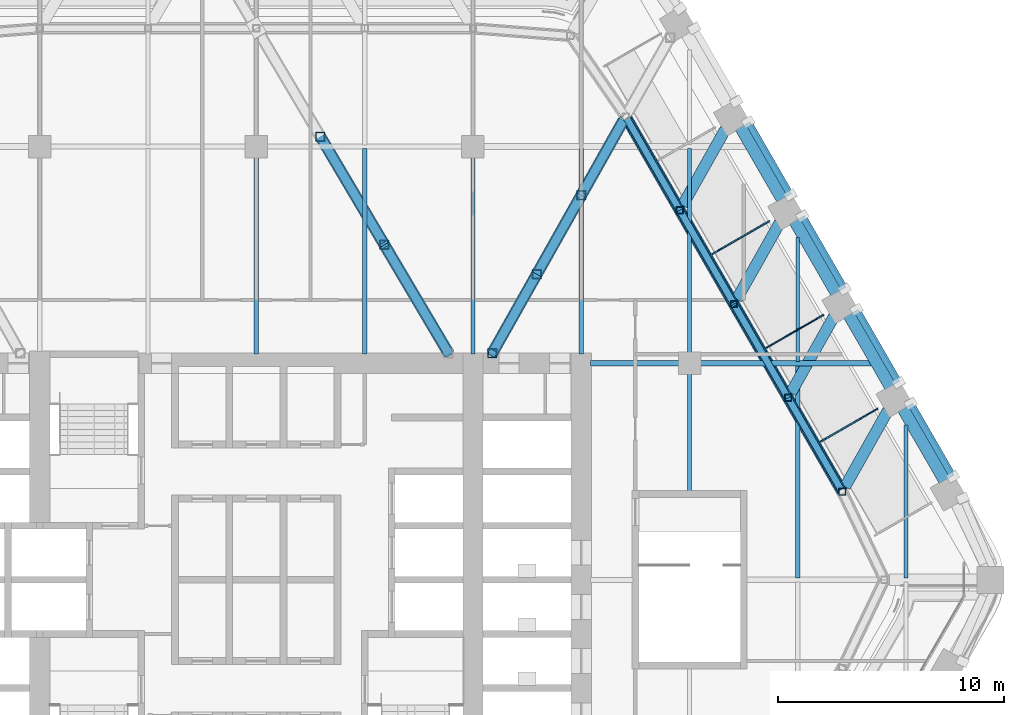
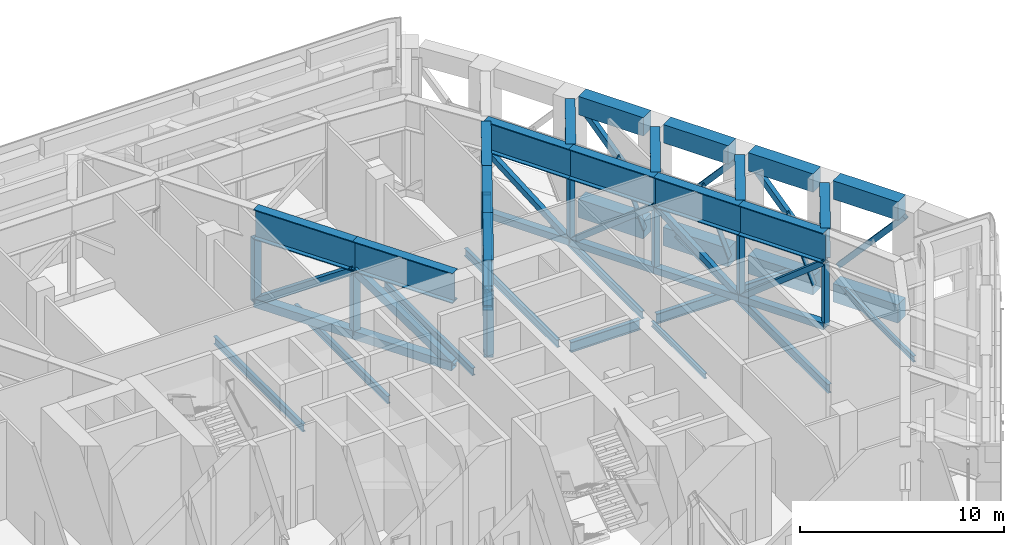
# One storey, part 10 of 27: 34 members, 32 beams, 1 element without a shape of its own.
"""IFC4 building model written with IfcOpenShell, lengths in metres."""

from ifc_helpers import new_model, si_unit, direction, frame, origin, origin_2d, place, context, subcontext, project, spatial, rectangle, hollow_rectangle, i_section, extrude, material, material_profile, profile_set, type_object, element, aggregate, save


model = new_model("IFC4")

# Units and contexts
model_context = context("Model", 3, precision=1e-05, world=origin(), true_north=direction((0.0, 1.0)))
body_context = subcontext(model_context, "Body", "Model", "MODEL_VIEW")
ifc_project = project(units=[si_unit("LENGTHUNIT", "METRE"), si_unit("AREAUNIT", "SQUARE_METRE"), si_unit("VOLUMEUNIT", "CUBIC_METRE"), si_unit("PLANEANGLEUNIT", "RADIAN"), si_unit("MASSUNIT", "GRAM", prefix="KILO")], contexts=[model_context])

# Site, building, storey
site_placement = place(None, origin())
site = spatial("IfcSite", under=ifc_project, at=site_placement, CompositionType="ELEMENT")
building_placement = place(site_placement, origin())
building = spatial("IfcBuilding", under=site, at=building_placement, Name="Kolab Exchange Tower", CompositionType="ELEMENT")
storey_placement = place(building_placement, frame((0.0, 0.0, 127.39990234375)))
storey = spatial("IfcBuildingStorey", under=building, at=storey_placement, Name="L25", CompositionType="ELEMENT", Elevation=127.39990234375)

# Members
ifc_material_1 = material(Name="Steel S355", Category="steel")
ifc_material_profile_1 = material_profile(ifc_material_1, hollow_rectangle(XDim=0.300048828125, YDim=0.300048828125, WallThickness=0.01611328125, at=origin_2d()), Name="HSS300X300X16")
ifc_profile_set_1 = profile_set([ifc_material_profile_1], Name="Steel S355")
member_type_1 = type_object("IfcMemberType", Name="BELT TRUSS BRACE HSS300X300X16", PredefinedType="BRACE", material=ifc_profile_set_1)
member_1_placement = place(storey_placement, frame((16.366943359375, 20.53466796875, 4.050048828125), z_axis=(0.392038591319, -0.678999195849, -0.620697861244), x_axis=(0.866015339567, 0.500017431331, 0.0)))
element("IfcMember", 1, at=member_1_placement, inside=storey, type_object=member_type_1, Name="mem/L25/ring/d-F2-02", PredefinedType="BRACE", context=body_context, shape_type="SweptSolid", body=[
    extrude(hollow_rectangle(XDim=0.300048828125, YDim=0.300048828125, WallThickness=0.01611328125, at=origin_2d()), origin(), (0.0, 0.0, 1.0), 6.122314453125),
])
for number, where, z_axis, x_axis, name in (
    (2, (18.76708984375, 16.377685546875, 0.25), (0.392004841722, -0.679009810783, 0.620707564741), (0.866037363387, 0.499979284789, 0.0), "mem/L25/ring/d-F2-03"),
    (3, (21.1669921875, 12.220703125, 4.050048828125), (0.392004841722, -0.679009810783, -0.620707564741), (0.866037363387, 0.499979284789, 0.0), "mem/L25/ring/d-F2-04"),
    (4, (23.56689453125, 8.063720703125, 0.25), (0.392049206664, -0.678977702437, 0.620714668062), (0.866002622515, 0.50003945624, 0.0), "mem/L25/ring/d-F2-05"),
):
    element("IfcMember", number, at=place(storey_placement, frame(where, z_axis=z_axis, x_axis=x_axis)), inside=storey, type_object=member_type_1, Name=name, PredefinedType="BRACE", context=body_context, shape_type="SweptSolid", body=[
        extrude(hollow_rectangle(XDim=0.300048828125, YDim=0.300048828125, WallThickness=0.01611328125, at=origin_2d()), origin(), (0.0, 0.0, 1.0), 6.1220703125),
    ])
member_2_placement = place(storey_placement, frame((21.806640625, 20.282958984375, 4.60009765625), z_axis=(0.33175876964, -0.574575918421, -0.748196921096), x_axis=(0.866007645851, 0.500030756381, 0.0)))
element("IfcMember", 5, at=member_2_placement, inside=storey, type_object=member_type_1, Name="mem/L25/fb/F2-03", PredefinedType="BRACE", context=body_context, shape_type="SweptSolid", body=[
    extrude(hollow_rectangle(XDim=0.300048828125, YDim=0.300048828125, WallThickness=0.01611328125, at=origin_2d()), origin(), (0.0, 0.0, 1.0), 5.613525390625),
])
member_3_placement = place(storey_placement, frame((24.206787109375, 16.1259765625, 0.400146484375), z_axis=(0.331720063492, -0.574584208573, 0.748207716303), x_axis=(0.866036031404, 0.49998159197, 0.0)))
element("IfcMember", 6, at=member_3_placement, inside=storey, type_object=member_type_1, Name="mem/L25/fb/F2-04", PredefinedType="BRACE", context=body_context, shape_type="SweptSolid", body=[
    extrude(hollow_rectangle(XDim=0.300048828125, YDim=0.300048828125, WallThickness=0.01611328125, at=origin_2d()), origin(), (0.0, 0.0, 1.0), 5.61328125),
])
for number, where, z_axis, x_axis, name in (
    (7, (26.606689453125, 11.968994140625, 4.60009765625), (0.33175876964, -0.574575918421, -0.748196921096), (0.866007645851, 0.500030756381, 0.0), "mem/L25/fb/F2-05"),
    (8, (29.006591796875, 7.812255859375, 0.400146484375), (0.33175876964, -0.574575918421, 0.748196921096), (0.866007645851, 0.500030756381, 0.0), "mem/L25/fb/F2-06"),
):
    element("IfcMember", number, at=place(storey_placement, frame(where, z_axis=z_axis, x_axis=x_axis)), inside=storey, type_object=member_type_1, Name=name, PredefinedType="BRACE", context=body_context, shape_type="SweptSolid", body=[
        extrude(hollow_rectangle(XDim=0.300048828125, YDim=0.300048828125, WallThickness=0.01611328125, at=origin_2d()), origin(), (0.0, 0.0, 1.0), 5.613525390625),
    ])
ifc_material_profile_2 = material_profile(ifc_material_1, hollow_rectangle(XDim=0.39990234375, YDim=0.39990234375, WallThickness=0.02001953125, at=origin_2d()), Name="HSS400X400X20")
ifc_profile_set_2 = profile_set([ifc_material_profile_2], Name="Steel S355")
member_type_2 = type_object("IfcMemberType", Name="BELT TRUSS CHORD HSS400X400X20", PredefinedType="CHORD", material=ifc_profile_set_2)
for number, where, z_axis, x_axis, name in (
    (9, (16.366943359375, 20.53466796875, 0.25), (0.500017431331, -0.866015339567, 0.0), (0.866015339567, 0.500017431331, 0.0), "mem/L25/ring/c-F2-02"),
    (10, (18.76708984375, 16.377685546875, 0.25), (0.499979284789, -0.866037363387, 0.0), (0.866037363387, 0.499979284789, 0.0), "mem/L25/ring/c-F2-03"),
    (11, (21.1669921875, 12.220703125, 0.25), (0.499979284789, -0.866037363387, 0.0), (0.866037363387, 0.499979284789, 0.0), "mem/L25/ring/c-F2-04"),
):
    element("IfcMember", number, at=place(storey_placement, frame(where, z_axis=z_axis, x_axis=x_axis)), inside=storey, type_object=member_type_2, Name=name, PredefinedType="CHORD", context=body_context, shape_type="SweptSolid", body=[
        extrude(hollow_rectangle(XDim=0.39990234375, YDim=0.39990234375, WallThickness=0.02001953125, at=origin_2d()), origin(), (0.0, 0.0, 1.0), 4.800048828125),
    ])
member_4_placement = place(storey_placement, frame((23.56689453125, 8.063720703125, 0.25), z_axis=(0.50003945624, -0.866002622515, 0.0), x_axis=(0.866002622515, 0.50003945624, 0.0)))
element("IfcMember", 12, at=member_4_placement, inside=storey, type_object=member_type_2, Name="mem/L25/ring/c-F2-05", PredefinedType="CHORD", context=body_context, shape_type="SweptSolid", body=[
    extrude(hollow_rectangle(XDim=0.39990234375, YDim=0.39990234375, WallThickness=0.02001953125, at=origin_2d()), origin(), (0.0, 0.0, 1.0), 4.7998046875),
])

# Beams
ifc_material_profile_3 = material_profile(ifc_material_1, i_section(OverallWidth=0.5, OverallDepth=1.800048828125, WebThickness=0.031982421875, FlangeThickness=0.050048828125, at=origin_2d()), Name="PG1800X500")
ifc_profile_set_3 = profile_set([ifc_material_profile_3], Name="Steel S355")
beam_type_1 = type_object("IfcBeamType", Name="BELT TRUSS GIRDER PG1800X500", PredefinedType="BEAM", material=ifc_profile_set_3)
for number, where, z_axis, x_axis, name in (
    (13, (16.366943359375, 20.53466796875, 4.9501953125), (0.500017431331, -0.866015339567, 0.0), (0.866015339567, 0.500017431331, 0.0), "beam/L25/bg/F2-run0"),
    (14, (18.76708984375, 16.377685546875, 4.9501953125), (0.499979284789, -0.866037363387, 0.0), (0.866037363387, 0.499979284789, 0.0), "beam/L25/bg/F2-run1"),
    (15, (21.1669921875, 12.220703125, 4.9501953125), (0.499979284789, -0.866037363387, 0.0), (0.866037363387, 0.499979284789, 0.0), "beam/L25/bg/F2-run2"),
):
    element("IfcBeam", number, at=place(storey_placement, frame(where, z_axis=z_axis, x_axis=x_axis)), inside=storey, type_object=beam_type_1, Name=name, PredefinedType="BEAM", context=body_context, shape_type="SweptSolid", body=[
        extrude(i_section(OverallWidth=0.5, OverallDepth=1.800048828125, WebThickness=0.031982421875, FlangeThickness=0.050048828125, at=origin_2d()), origin(), (0.0, 0.0, 1.0), 4.800048828125),
    ])
beam_1_placement = place(storey_placement, frame((23.56689453125, 8.063720703125, 4.9501953125), z_axis=(0.50003945624, -0.866002622515, 0.0), x_axis=(0.866002622515, 0.50003945624, 0.0)))
element("IfcBeam", 16, at=beam_1_placement, inside=storey, type_object=beam_type_1, Name="beam/L25/bg/F2-run3", PredefinedType="BEAM", context=body_context, shape_type="SweptSolid", body=[
    extrude(i_section(OverallWidth=0.5, OverallDepth=1.800048828125, WebThickness=0.031982421875, FlangeThickness=0.050048828125, at=origin_2d()), origin(), (0.0, 0.0, 1.0), 4.7998046875),
])

# Members
ifc_material_profile_4 = material_profile(ifc_material_1, hollow_rectangle(XDim=0.300048828125, YDim=0.300048828125, WallThickness=0.01611328125, at=origin_2d()), Name="HSS300X300X16")
ifc_profile_set_4 = profile_set([ifc_material_profile_4], Name="Steel S355")
member_type_3 = type_object("IfcMemberType", Name="BELT TRUSS POST HSS300X300X16", PredefinedType="POST", material=ifc_profile_set_4)
for number, where, z_axis, x_axis, name in (
    (17, (18.76708984375, 16.377685546875, 0.25), (0.0, 0.0, 1.0), (1.0, 0.0, 0.0), "mem/L25/ring/p-F2-03"),
    (18, (21.1669921875, 12.220703125, 0.25), (0.0, 0.0, 1.0), (1.0, 0.0, 0.0), "mem/L25/ring/p-F2-04"),
    (19, (23.56689453125, 8.063720703125, 0.25), (0.0, 0.0, 1.0), (1.0, 0.0, 0.0), "mem/L25/ring/p-F2-05"),
    (20, (25.967041015625, 3.906982421875, 0.25), (0.0, 0.0, 1.0), (1.0, 0.0, 0.0), "mem/L25/ring/p-F2-06"),
):
    element("IfcMember", number, at=place(storey_placement, frame(where, z_axis=z_axis, x_axis=x_axis)), inside=storey, type_object=member_type_3, Name=name, PredefinedType="POST", context=body_context, shape_type="SweptSolid", body=[
        extrude(hollow_rectangle(XDim=0.300048828125, YDim=0.300048828125, WallThickness=0.01611328125, at=origin_2d()), origin(), (0.0, 0.0, 1.0), 3.800048828125),
    ])

# Curtain wall, members
ifc_material_2 = material(Name="Aluminium EN AW-6063 T6", Category="aluminium")
curtain_wall_type = type_object("IfcCurtainWallType", Name="CANTED BAND CURTAIN WALL", PredefinedType="NOTDEFINED", material=ifc_material_2)
curtain_wall_placement = place(storey_placement, origin())
curtain_wall = element("IfcCurtainWall", 21, at=curtain_wall_placement, inside=storey, type_object=curtain_wall_type, Name="band/L25/F2", PredefinedType="NOTDEFINED")
ifc_material_profile_5 = material_profile(ifc_material_2, rectangle(XDim=0.06005859375, YDim=0.300048828125, at=origin_2d()), Name="RECT 60X300")
ifc_profile_set_5 = profile_set([ifc_material_profile_5], Name="Aluminium EN AW-6063 T6")
member_type_4 = type_object("IfcMemberType", Name="CANTED BAND MULLION 60 X 300", PredefinedType="MULLION", material=ifc_profile_set_5)
member_5_placement = place(storey_placement, frame((22.631591796875, 15.837646484375, -0.099853515625), z_axis=(-0.355801131063, -0.205424096945, 0.911705267907), x_axis=(0.500004049237, -0.866023065944, 0.0)))
member_5 = element("IfcMember", 22, at=member_5_placement, type_object=member_type_4, Name="Band mullion", PredefinedType="MULLION", context=body_context, shape_type="SweptSolid", body=[
    extrude(rectangle(XDim=0.06005859375, YDim=0.300048828125, at=origin_2d()), origin(), (0.0, 0.0, 1.0), 6.51513671875),
])
member_6_placement = place(storey_placement, frame((25.03173828125, 11.6806640625, -0.099853515625), z_axis=(-0.355833859075, -0.205421357987, 0.911693111973), x_axis=(0.499964557259, -0.866045865693, 0.0)))
member_6 = element("IfcMember", 23, at=member_6_placement, type_object=member_type_4, Name="Band mullion", PredefinedType="MULLION", context=body_context, shape_type="SweptSolid", body=[
    extrude(rectangle(XDim=0.06005859375, YDim=0.300048828125, at=origin_2d()), origin(), (0.0, 0.0, 1.0), 6.515380859375),
])
member_7_placement = place(storey_placement, frame((27.431640625, 7.52392578125, -0.099853515625), z_axis=(-0.35583111981, -0.205457248307, 0.911686093616), x_axis=(0.500032956655, -0.866006375415, 0.0)))
member_7 = element("IfcMember", 24, at=member_7_placement, type_object=member_type_4, Name="Band mullion", PredefinedType="MULLION", context=body_context, shape_type="SweptSolid", body=[
    extrude(rectangle(XDim=0.06005859375, YDim=0.300048828125, at=origin_2d()), origin(), (0.0, 0.0, 1.0), 6.515380859375),
])
aggregate(curtain_wall, [member_5, member_6, member_7])

# Beams
ifc_material_profile_6 = material_profile(ifc_material_1, i_section(OverallWidth=0.1650390625, OverallDepth=0.31005859375, WebThickness=0.005859375, FlangeThickness=0.009765625, at=origin_2d()), Name="W310X39")
ifc_profile_set_6 = profile_set([ifc_material_profile_6], Name="Steel S355")
beam_type_2 = type_object("IfcBeamType", Name="FLOOR BEAM W310X39", PredefinedType="BEAM", material=ifc_profile_set_6)
beam_2_placement = place(storey_placement, frame((19.199951171875, 3.909912109375, -0.454833984375), z_axis=(0.0, 1.0, 0.0), x_axis=(-1.0, 0.0, 0.0)))
element("IfcBeam", 25, at=beam_2_placement, inside=storey, type_object=beam_type_2, Name="beam/L25/fr/043", PredefinedType="BEAM", context=body_context, shape_type="SweptSolid", body=[
    extrude(i_section(OverallWidth=0.1650390625, OverallDepth=0.31005859375, WebThickness=0.005859375, FlangeThickness=0.009765625, at=origin_2d()), origin(), (0.0, 0.0, 1.0), 5.22998046875),
])
beam_3_placement = place(storey_placement, frame((24.0, 9.674072265625, -0.454833984375), z_axis=(0.0, 1.0, 0.0), x_axis=(-1.0, 0.0, 0.0)))
element("IfcBeam", 26, at=beam_3_placement, inside=storey, type_object=beam_type_2, Name="beam/L25/fr/049", PredefinedType="BEAM", context=body_context, shape_type="SweptSolid", body=[
    extrude(i_section(OverallWidth=0.1650390625, OverallDepth=0.31005859375, WebThickness=0.005859375, FlangeThickness=0.009765625, at=origin_2d()), origin(), (0.0, 0.0, 1.0), 5.49365234375),
])
ifc_material_profile_7 = material_profile(ifc_material_1, i_section(OverallWidth=0.1708984375, OverallDepth=0.35498046875, WebThickness=0.007080078125, FlangeThickness=0.01171875, at=origin_2d()), Name="W360X51")
ifc_profile_set_7 = profile_set([ifc_material_profile_7], Name="Steel S355")
beam_type_3 = type_object("IfcBeamType", Name="FLOOR BEAM W360X51", PredefinedType="BEAM", material=ifc_profile_set_7)
beam_4_placement = place(storey_placement, frame((28.800048828125, 0.0869140625, -0.477294921875), z_axis=(0.0, 1.0, 0.0), x_axis=(-1.0, 0.0, 0.0)))
element("IfcBeam", 27, at=beam_4_placement, inside=storey, type_object=beam_type_3, Name="beam/L25/fr/051", PredefinedType="BEAM", context=body_context, shape_type="SweptSolid", body=[
    extrude(i_section(OverallWidth=0.1708984375, OverallDepth=0.35498046875, WebThickness=0.007080078125, FlangeThickness=0.01171875, at=origin_2d()), origin(), (0.0, 0.0, 1.0), 6.766845703125),
])
ifc_material_profile_8 = material_profile(ifc_material_1, i_section(OverallWidth=0.18994140625, OverallDepth=0.45703125, WebThickness=0.009033203125, FlangeThickness=0.014404296875, at=origin_2d()), Name="W460X74")
ifc_profile_set_8 = profile_set([ifc_material_profile_8], Name="Steel S355")
beam_type_4 = type_object("IfcBeamType", Name="FLOOR BEAM W460X74", PredefinedType="BEAM", material=ifc_profile_set_8)
beam_5_placement = place(storey_placement, frame((0.0, 10.010009765625, -0.5283203125), z_axis=(0.0, 1.0, 0.0), x_axis=(-1.0, 0.0, 0.0)))
element("IfcBeam", 28, at=beam_5_placement, inside=storey, type_object=beam_type_4, Name="beam/L25/fr/026", PredefinedType="BEAM", context=body_context, shape_type="SweptSolid", body=[
    extrude(i_section(OverallWidth=0.18994140625, OverallDepth=0.45703125, WebThickness=0.009033203125, FlangeThickness=0.014404296875, at=origin_2d()), origin(), (0.0, 0.0, 1.0), 8.72998046875),
])
beam_6_placement = place(storey_placement, frame((4.800048828125, 10.010009765625, -0.5283203125), z_axis=(0.0, 1.0, 0.0), x_axis=(-1.0, 0.0, 0.0)))
element("IfcBeam", 29, at=beam_6_placement, inside=storey, type_object=beam_type_4, Name="beam/L25/fr/030", PredefinedType="BEAM", context=body_context, shape_type="SweptSolid", body=[
    extrude(i_section(OverallWidth=0.18994140625, OverallDepth=0.45703125, WebThickness=0.009033203125, FlangeThickness=0.014404296875, at=origin_2d()), origin(), (0.0, 0.0, 1.0), 9.115966796875),
])
beam_7_placement = place(storey_placement, frame((9.60009765625, 10.010009765625, -0.5283203125), z_axis=(0.0, 1.0, 0.0), x_axis=(-1.0, 0.0, 0.0)))
element("IfcBeam", 30, at=beam_7_placement, inside=storey, type_object=beam_type_4, Name="beam/L25/fr/034", PredefinedType="BEAM", context=body_context, shape_type="SweptSolid", body=[
    extrude(i_section(OverallWidth=0.18994140625, OverallDepth=0.45703125, WebThickness=0.009033203125, FlangeThickness=0.014404296875, at=origin_2d()), origin(), (0.0, 0.0, 1.0), 8.72998046875),
])
beam_8_placement = place(storey_placement, frame((14.39990234375, 10.010009765625, -0.5283203125), z_axis=(0.0, 1.0, 0.0), x_axis=(-1.0, 0.0, 0.0)))
element("IfcBeam", 31, at=beam_8_placement, inside=storey, type_object=beam_type_4, Name="beam/L25/fr/038", PredefinedType="BEAM", context=body_context, shape_type="SweptSolid", body=[
    extrude(i_section(OverallWidth=0.18994140625, OverallDepth=0.45703125, WebThickness=0.009033203125, FlangeThickness=0.014404296875, at=origin_2d()), origin(), (0.0, 0.0, 1.0), 9.096435546875),
])
beam_9_placement = place(storey_placement, frame((19.199951171875, 10.06005859375, -0.5283203125), z_axis=(0.0, 1.0, 0.0), x_axis=(-1.0, 0.0, 0.0)))
element("IfcBeam", 32, at=beam_9_placement, inside=storey, type_object=beam_type_4, Name="beam/L25/fr/044", PredefinedType="BEAM", context=body_context, shape_type="SweptSolid", body=[
    extrude(i_section(OverallWidth=0.18994140625, OverallDepth=0.45703125, WebThickness=0.009033203125, FlangeThickness=0.014404296875, at=origin_2d()), origin(), (0.0, 0.0, 1.0), 9.04638671875),
])
ifc_material_profile_9 = material_profile(ifc_material_1, i_section(OverallWidth=0.208984375, OverallDepth=0.532958984375, WebThickness=0.01025390625, FlangeThickness=0.015625, at=origin_2d()), Name="W530X92")
ifc_profile_set_9 = profile_set([ifc_material_profile_9], Name="Steel S355")
beam_type_5 = type_object("IfcBeamType", Name="FLOOR BEAM W530X92", PredefinedType="BEAM", material=ifc_profile_set_9)
beam_10_placement = place(storey_placement, frame((24.0, 0.0869140625, -0.56640625), z_axis=(0.0, 1.0, 0.0), x_axis=(-1.0, 0.0, 0.0)))
element("IfcBeam", 33, at=beam_10_placement, inside=storey, type_object=beam_type_5, Name="beam/L25/fr/048", PredefinedType="BEAM", context=body_context, shape_type="SweptSolid", body=[
    extrude(i_section(OverallWidth=0.208984375, OverallDepth=0.532958984375, WebThickness=0.01025390625, FlangeThickness=0.015625, at=origin_2d()), origin(), (0.0, 0.0, 1.0), 9.43896484375),
])
ifc_material_profile_10 = material_profile(ifc_material_1, i_section(OverallWidth=0.22802734375, OverallDepth=0.60791015625, WebThickness=0.01123046875, FlangeThickness=0.017333984375, at=origin_2d()), Name="W610X113")
ifc_profile_set_10 = profile_set([ifc_material_profile_10], Name="Steel S355")
beam_type_6 = type_object("IfcBeamType", Name="FLOOR GIRDER W610X113", PredefinedType="BEAM", material=ifc_profile_set_10)
beam_11_placement = place(storey_placement, frame((14.81005859375, 9.60009765625, -0.60400390625), z_axis=(1.0, 0.0, 0.0), x_axis=(0.0, 1.0, 0.0)))
element("IfcBeam", 34, at=beam_11_placement, inside=storey, type_object=beam_type_6, Name="beam/L25/gd/016", PredefinedType="BEAM", context=body_context, shape_type="SweptSolid", body=[
    extrude(i_section(OverallWidth=0.22802734375, OverallDepth=0.60791015625, WebThickness=0.01123046875, FlangeThickness=0.017333984375, at=origin_2d()), origin(), (0.0, 0.0, 1.0), 3.929931640625),
])
beam_12_placement = place(storey_placement, frame((19.659912109375, 9.60009765625, -0.60400390625), z_axis=(1.0, 0.0, 0.0), x_axis=(0.0, 1.0, 0.0)))
element("IfcBeam", 35, at=beam_12_placement, inside=storey, type_object=beam_type_6, Name="beam/L25/gd/018", PredefinedType="BEAM", context=body_context, shape_type="SweptSolid", body=[
    extrude(i_section(OverallWidth=0.22802734375, OverallDepth=0.60791015625, WebThickness=0.01123046875, FlangeThickness=0.017333984375, at=origin_2d()), origin(), (0.0, 0.0, 1.0), 7.571533203125),
])

# Members
ifc_material_profile_11 = material_profile(ifc_material_1, hollow_rectangle(XDim=0.39990234375, YDim=0.39990234375, WallThickness=0.02001953125, at=origin_2d()), Name="HSS400X400X20")
ifc_profile_set_11 = profile_set([ifc_material_profile_11], Name="Steel S355")
member_type_5 = type_object("IfcMemberType", Name="OUTRIGGER BRACE HSS400X400X20", PredefinedType="BRACE", material=ifc_profile_set_11)
for number, where, z_axis, x_axis, name in (
    (36, (8.513916015625, 10.050048828125, 0.25), (-0.420717345105, 0.71111183776, 0.563308858198), (-0.860653467332, -0.509191132258, 0.0), "mem/L25/out/00/d00"),
    (37, (5.67578125, 14.84716796875, 4.050048828125), (-0.420687559558, 0.711122664982, -0.563317435007), (-0.860672662542, -0.509158686416, 0.0), "mem/L25/out/00/d01"),
):
    element("IfcMember", number, at=place(storey_placement, frame(where, z_axis=z_axis, x_axis=x_axis)), inside=storey, type_object=member_type_5, Name=name, PredefinedType="BRACE", context=body_context, shape_type="SweptSolid", body=[
        extrude(hollow_rectangle(XDim=0.39990234375, YDim=0.39990234375, WallThickness=0.02001953125, at=origin_2d()), origin(), (0.0, 0.0, 1.0), 6.745849609375),
    ])
for number, where, z_axis, x_axis, name in (
    (38, (10.461181640625, 10.050048828125, 4.050048828125), (0.356267901015, 0.632515813348, -0.687747721604), (-0.871294182831, 0.490761089498, 0.0), "mem/L25/out/01/d00"),
    (39, (12.4296875, 13.544921875, 0.25), (0.356306477302, 0.632505855975, 0.687736894743), (-0.871268156325, 0.49080729393, 0.0), "mem/L25/out/01/d01"),
):
    element("IfcMember", number, at=place(storey_placement, frame(where, z_axis=z_axis, x_axis=x_axis)), inside=storey, type_object=member_type_5, Name=name, PredefinedType="BRACE", context=body_context, shape_type="SweptSolid", body=[
        extrude(hollow_rectangle(XDim=0.39990234375, YDim=0.39990234375, WallThickness=0.02001953125, at=origin_2d()), origin(), (0.0, 0.0, 1.0), 5.525390625),
    ])
member_8_placement = place(storey_placement, frame((14.3984375, 17.039794921875, 4.050048828125), z_axis=(0.347080423166, 0.616168818251, -0.707015676821), x_axis=(-0.871282057065, 0.490782616884, 0.0)))
element("IfcMember", 40, at=member_8_placement, inside=storey, type_object=member_type_5, Name="mem/L25/out/01/d02", PredefinedType="BRACE", context=body_context, shape_type="SweptSolid", body=[
    extrude(hollow_rectangle(XDim=0.39990234375, YDim=0.39990234375, WallThickness=0.02001953125, at=origin_2d()), origin(), (0.0, 0.0, 1.0), 5.374755859375),
])
ifc_material_profile_12 = material_profile(ifc_material_1, hollow_rectangle(XDim=0.5, YDim=0.5, WallThickness=0.02490234375, at=origin_2d()), Name="HSS500X500X25")
ifc_profile_set_12 = profile_set([ifc_material_profile_12], Name="Steel S355")
member_type_6 = type_object("IfcMemberType", Name="OUTRIGGER CHORD HSS500X500X25", PredefinedType="CHORD", material=ifc_profile_set_12)
for number, where, z_axis, x_axis, name in (
    (41, (8.513916015625, 10.050048828125, 0.25), (-0.509191132258, 0.860653467332, 0.0), (-0.860653467332, -0.509191132258, 0.0), "mem/L25/out/00/c00"),
    (42, (5.67578125, 14.84716796875, 0.25), (-0.509158686416, 0.860672662542, 0.0), (-0.860672662542, -0.509158686416, 0.0), "mem/L25/out/00/c01"),
):
    element("IfcMember", number, at=place(storey_placement, frame(where, z_axis=z_axis, x_axis=x_axis)), inside=storey, type_object=member_type_6, Name=name, PredefinedType="CHORD", context=body_context, shape_type="SweptSolid", body=[
        extrude(hollow_rectangle(XDim=0.5, YDim=0.5, WallThickness=0.02490234375, at=origin_2d()), origin(), (0.0, 0.0, 1.0), 5.57373046875),
    ])
for number, where, z_axis, x_axis, name in (
    (43, (10.461181640625, 10.050048828125, 0.25), (0.490761089498, 0.871294182831, 0.0), (-0.871294182831, 0.490761089498, 0.0), "mem/L25/out/01/c00"),
    (44, (12.4296875, 13.544921875, 0.25), (0.49080729393, 0.871268156325, 0.0), (-0.871268156325, 0.49080729393, 0.0), "mem/L25/out/01/c01"),
):
    element("IfcMember", number, at=place(storey_placement, frame(where, z_axis=z_axis, x_axis=x_axis)), inside=storey, type_object=member_type_6, Name=name, PredefinedType="CHORD", context=body_context, shape_type="SweptSolid", body=[
        extrude(hollow_rectangle(XDim=0.5, YDim=0.5, WallThickness=0.02490234375, at=origin_2d()), origin(), (0.0, 0.0, 1.0), 4.01123046875),
    ])
member_9_placement = place(storey_placement, frame((14.3984375, 17.039794921875, 0.25), z_axis=(0.490782616884, 0.871282057065, 0.0), x_axis=(-0.871282057065, 0.490782616884, 0.0)))
element("IfcMember", 45, at=member_9_placement, inside=storey, type_object=member_type_6, Name="mem/L25/out/01/c02", PredefinedType="CHORD", context=body_context, shape_type="SweptSolid", body=[
    extrude(hollow_rectangle(XDim=0.5, YDim=0.5, WallThickness=0.02490234375, at=origin_2d()), origin(), (0.0, 0.0, 1.0), 3.801025390625),
])

# Beams
ifc_material_profile_13 = material_profile(ifc_material_1, i_section(OverallWidth=0.5, OverallDepth=1.800048828125, WebThickness=0.031982421875, FlangeThickness=0.050048828125, at=origin_2d()), Name="PG1800X500")
ifc_profile_set_13 = profile_set([ifc_material_profile_13], Name="Steel S355")
beam_type_7 = type_object("IfcBeamType", Name="OUTRIGGER GIRDER PG1800X500", PredefinedType="BEAM", material=ifc_profile_set_13)
beam_13_placement = place(storey_placement, frame((8.5341796875, 10.015625, 4.9501953125), z_axis=(-0.509177593474, 0.860661477182, 0.0), x_axis=(-0.860661477182, -0.509177593474, 0.0)))
element("IfcBeam", 46, at=beam_13_placement, inside=storey, type_object=beam_type_7, Name="beam/L25/og/00-00", PredefinedType="BEAM", context=body_context, shape_type="SweptSolid", body=[
    extrude(i_section(OverallWidth=0.5, OverallDepth=1.800048828125, WebThickness=0.031982421875, FlangeThickness=0.050048828125, at=origin_2d()), origin(), (0.0, 0.0, 1.0), 5.61376953125),
])
beam_14_placement = place(storey_placement, frame((5.67578125, 14.84716796875, 4.9501953125), z_axis=(-0.509158686416, 0.860672662542, 0.0), x_axis=(-0.860672662542, -0.509158686416, 0.0)))
element("IfcBeam", 47, at=beam_14_placement, inside=storey, type_object=beam_type_7, Name="beam/L25/og/00-01", PredefinedType="BEAM", context=body_context, shape_type="SweptSolid", body=[
    extrude(i_section(OverallWidth=0.5, OverallDepth=1.800048828125, WebThickness=0.031982421875, FlangeThickness=0.050048828125, at=origin_2d()), origin(), (0.0, 0.0, 1.0), 5.57373046875),
])
beam_15_placement = place(storey_placement, frame((10.44140625, 10.01513671875, 4.9501953125), z_axis=(0.490781881685, 0.871282471194, 0.0), x_axis=(-0.871282471194, 0.490781881685, 0.0)))
element("IfcBeam", 48, at=beam_15_placement, inside=storey, type_object=beam_type_7, Name="beam/L25/og/01-00", PredefinedType="BEAM", context=body_context, shape_type="SweptSolid", body=[
    extrude(i_section(OverallWidth=0.5, OverallDepth=1.800048828125, WebThickness=0.031982421875, FlangeThickness=0.050048828125, at=origin_2d()), origin(), (0.0, 0.0, 1.0), 4.05126953125),
])
beam_16_placement = place(storey_placement, frame((12.4296875, 13.544921875, 4.9501953125), z_axis=(0.49080729393, 0.871268156325, 0.0), x_axis=(-0.871268156325, 0.49080729393, 0.0)))
element("IfcBeam", 49, at=beam_16_placement, inside=storey, type_object=beam_type_7, Name="beam/L25/og/01-01", PredefinedType="BEAM", context=body_context, shape_type="SweptSolid", body=[
    extrude(i_section(OverallWidth=0.5, OverallDepth=1.800048828125, WebThickness=0.031982421875, FlangeThickness=0.050048828125, at=origin_2d()), origin(), (0.0, 0.0, 1.0), 4.01123046875),
])
beam_17_placement = place(storey_placement, frame((14.3984375, 17.039794921875, 4.9501953125), z_axis=(0.490782616884, 0.871282057065, 0.0), x_axis=(-0.871282057065, 0.490782616884, 0.0)))
element("IfcBeam", 50, at=beam_17_placement, inside=storey, type_object=beam_type_7, Name="beam/L25/og/01-02", PredefinedType="BEAM", context=body_context, shape_type="SweptSolid", body=[
    extrude(i_section(OverallWidth=0.5, OverallDepth=1.800048828125, WebThickness=0.031982421875, FlangeThickness=0.050048828125, at=origin_2d()), origin(), (0.0, 0.0, 1.0), 3.801025390625),
])

# Members
ifc_material_profile_14 = material_profile(ifc_material_1, hollow_rectangle(XDim=0.39990234375, YDim=0.39990234375, WallThickness=0.02001953125, at=origin_2d()), Name="HSS400X400X20")
ifc_profile_set_14 = profile_set([ifc_material_profile_14], Name="Steel S355")
member_type_7 = type_object("IfcMemberType", Name="OUTRIGGER POST HSS400X400X20", PredefinedType="POST", material=ifc_profile_set_14)
for number, where, z_axis, x_axis, name in (
    (51, (5.67578125, 14.84716796875, 0.25), (0.0, 0.0, 1.0), (1.0, 0.0, 0.0), "mem/L25/out/00/p01"),
    (52, (2.837890625, 19.644287109375, 0.25), (0.0, 0.0, 1.0), (1.0, 0.0, 0.0), "mem/L25/out/00/p02"),
    (53, (10.461181640625, 10.050048828125, 0.25), (0.0, 0.0, 1.0), (1.0, 0.0, 0.0), "mem/L25/out/01/p00"),
    (54, (12.4296875, 13.544921875, 0.25), (0.0, 0.0, 1.0), (1.0, 0.0, 0.0), "mem/L25/out/01/p01"),
    (55, (14.3984375, 17.039794921875, 0.25), (0.0, 0.0, 1.0), (1.0, 0.0, 0.0), "mem/L25/out/01/p02"),
):
    element("IfcMember", number, at=place(storey_placement, frame(where, z_axis=z_axis, x_axis=x_axis)), inside=storey, type_object=member_type_7, Name=name, PredefinedType="POST", context=body_context, shape_type="SweptSolid", body=[
        extrude(hollow_rectangle(XDim=0.39990234375, YDim=0.39990234375, WallThickness=0.02001953125, at=origin_2d()), origin(), (0.0, 0.0, 1.0), 3.800048828125),
    ])

# Beams
ifc_material_3 = material(Name="Concrete C70/85", Category="concrete")
ifc_material_profile_15 = material_profile(ifc_material_3, rectangle(XDim=0.75, YDim=1.10009765625, at=origin_2d()), Name="RC750X1100")
ifc_profile_set_15 = profile_set([ifc_material_profile_15], Name="Concrete C70/85")
beam_type_8 = type_object("IfcBeamType", Name="SPANDREL BEAM 750X1100 C70/85", PredefinedType="BEAM", material=ifc_profile_set_15)
beam_18_placement = place(storey_placement, frame((21.55517578125, 20.112060546875, -0.849853515625), z_axis=(0.500013413428, -0.866017659399, 0.0), x_axis=(0.866017659399, 0.500013413428, 0.0)))
element("IfcBeam", 56, at=beam_18_placement, inside=storey, type_object=beam_type_8, Name="beam/L25/sp/F2-03", PredefinedType="BEAM", context=body_context, shape_type="SweptSolid", body=[
    extrude(rectangle(XDim=0.75, YDim=1.10009765625, at=origin_2d()), origin(), (0.0, 0.0, 1.0), 3.68017578125),
])
beam_19_placement = place(storey_placement, frame((23.955322265625, 15.955322265625, -0.849853515625), z_axis=(0.499963655964, -0.866046386007, 0.0), x_axis=(0.866046386007, 0.499963655964, 0.0)))
element("IfcBeam", 57, at=beam_19_placement, inside=storey, type_object=beam_type_8, Name="beam/L25/sp/F2-04", PredefinedType="BEAM", context=body_context, shape_type="SweptSolid", body=[
    extrude(rectangle(XDim=0.75, YDim=1.10009765625, at=origin_2d()), origin(), (0.0, 0.0, 1.0), 3.679931640625),
])
for number, where, z_axis, x_axis, name in (
    (58, (26.355224609375, 11.79833984375, -0.849853515625), (0.500013413428, -0.866017659399, 0.0), (0.866017659399, 0.500013413428, 0.0), "beam/L25/sp/F2-05"),
    (59, (28.755126953125, 7.641357421875, -0.849853515625), (0.500013413428, -0.866017659399, 0.0), (0.866017659399, 0.500013413428, 0.0), "beam/L25/sp/F2-06"),
):
    element("IfcBeam", number, at=place(storey_placement, frame(where, z_axis=z_axis, x_axis=x_axis)), inside=storey, type_object=beam_type_8, Name=name, PredefinedType="BEAM", context=body_context, shape_type="SweptSolid", body=[
        extrude(rectangle(XDim=0.75, YDim=1.10009765625, at=origin_2d()), origin(), (0.0, 0.0, 1.0), 3.68017578125),
    ])
for number, where, z_axis, x_axis, name in (
    (60, (21.55517578125, 20.112060546875, 5.300048828125), (0.500042141888, -0.866001071787, 0.0), (0.866001071787, 0.500042141888, 0.0), "beam/L25/cp/F2-03"),
    (61, (23.955078125, 15.955078125, 5.300048828125), (0.500042141888, -0.866001071787, 0.0), (0.866001071787, 0.500042141888, 0.0), "beam/L25/cp/F2-04"),
):
    element("IfcBeam", number, at=place(storey_placement, frame(where, z_axis=z_axis, x_axis=x_axis)), inside=storey, type_object=beam_type_8, Name=name, PredefinedType="BEAM", context=body_context, shape_type="SweptSolid", body=[
        extrude(rectangle(XDim=0.75, YDim=1.10009765625, at=origin_2d()), origin(), (0.0, 0.0, 1.0), 3.679931640625),
    ])
for number, where, z_axis, x_axis, name in (
    (62, (26.355224609375, 11.79833984375, 5.300048828125), (0.500013413428, -0.866017659399, 0.0), (0.866017659399, 0.500013413428, 0.0), "beam/L25/cp/F2-05"),
    (63, (28.755126953125, 7.641357421875, 5.300048828125), (0.500013413428, -0.866017659399, 0.0), (0.866017659399, 0.500013413428, 0.0), "beam/L25/cp/F2-06"),
):
    element("IfcBeam", number, at=place(storey_placement, frame(where, z_axis=z_axis, x_axis=x_axis)), inside=storey, type_object=beam_type_8, Name=name, PredefinedType="BEAM", context=body_context, shape_type="SweptSolid", body=[
        extrude(rectangle(XDim=0.75, YDim=1.10009765625, at=origin_2d()), origin(), (0.0, 0.0, 1.0), 3.68017578125),
    ])
ifc_material_profile_16 = material_profile(ifc_material_1, i_section(OverallWidth=0.5, OverallDepth=1.800048828125, WebThickness=0.031982421875, FlangeThickness=0.050048828125, at=origin_2d()), Name="PG1800X500")
ifc_profile_set_16 = profile_set([ifc_material_profile_16], Name="Steel S355")
beam_type_9 = type_object("IfcBeamType", Name="TRANSFER GIRDER PG1800X500", PredefinedType="BEAM", material=ifc_profile_set_16)
beam_20_placement = place(storey_placement, frame((18.8896484375, 16.595458984375, 4.9501953125), z_axis=(0.490774507878, 0.87128662472, 0.0), x_axis=(-0.87128662472, 0.490774507878, 0.0)))
element("IfcBeam", 64, at=beam_20_placement, inside=storey, type_object=beam_type_9, Name="beam/L25/tg/F2-03", PredefinedType="BEAM", context=body_context, shape_type="SweptSolid", body=[
    extrude(i_section(OverallWidth=0.5, OverallDepth=1.800048828125, WebThickness=0.031982421875, FlangeThickness=0.050048828125, at=origin_2d()), origin(), (0.0, 0.0, 1.0), 3.8837890625),
])
for number, where, z_axis, x_axis, name in (
    (65, (21.289794921875, 12.438720703125, 4.9501953125), (0.490801389835, 0.871271482224, 0.0), (-0.871271482224, 0.490801389835, 0.0), "beam/L25/tg/F2-04"),
    (66, (23.689697265625, 8.28173828125, 4.9501953125), (0.490801389835, 0.871271482224, 0.0), (-0.871271482224, 0.490801389835, 0.0), "beam/L25/tg/F2-05"),
):
    element("IfcBeam", number, at=place(storey_placement, frame(where, z_axis=z_axis, x_axis=x_axis)), inside=storey, type_object=beam_type_9, Name=name, PredefinedType="BEAM", context=body_context, shape_type="SweptSolid", body=[
        extrude(i_section(OverallWidth=0.5, OverallDepth=1.800048828125, WebThickness=0.031982421875, FlangeThickness=0.050048828125, at=origin_2d()), origin(), (0.0, 0.0, 1.0), 3.883544921875),
    ])
beam_21_placement = place(storey_placement, frame((26.089599609375, 4.124755859375, 4.9501953125), z_axis=(0.490774507878, 0.87128662472, 0.0), x_axis=(-0.87128662472, 0.490774507878, 0.0)))
element("IfcBeam", 67, at=beam_21_placement, inside=storey, type_object=beam_type_9, Name="beam/L25/tg/F2-06", PredefinedType="BEAM", context=body_context, shape_type="SweptSolid", body=[
    extrude(i_section(OverallWidth=0.5, OverallDepth=1.800048828125, WebThickness=0.031982421875, FlangeThickness=0.050048828125, at=origin_2d()), origin(), (0.0, 0.0, 1.0), 3.8837890625),
])

save(model, "model.ifc")
